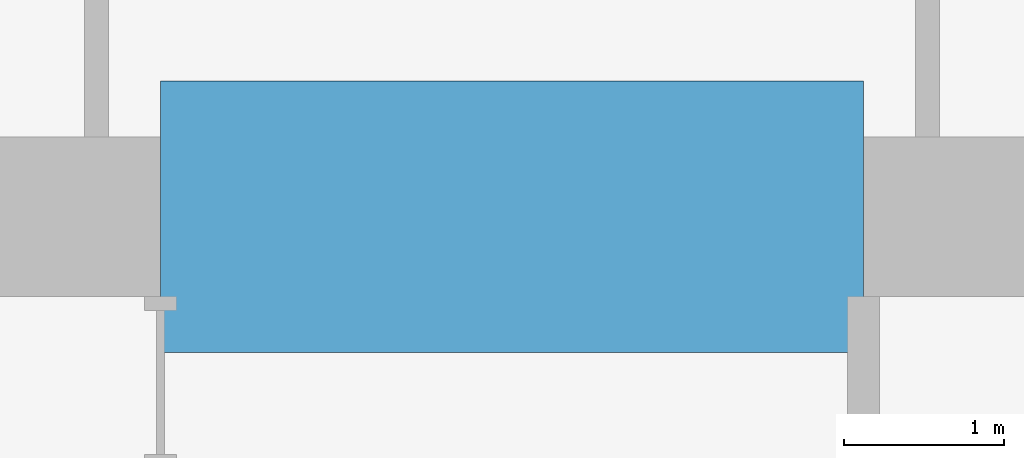
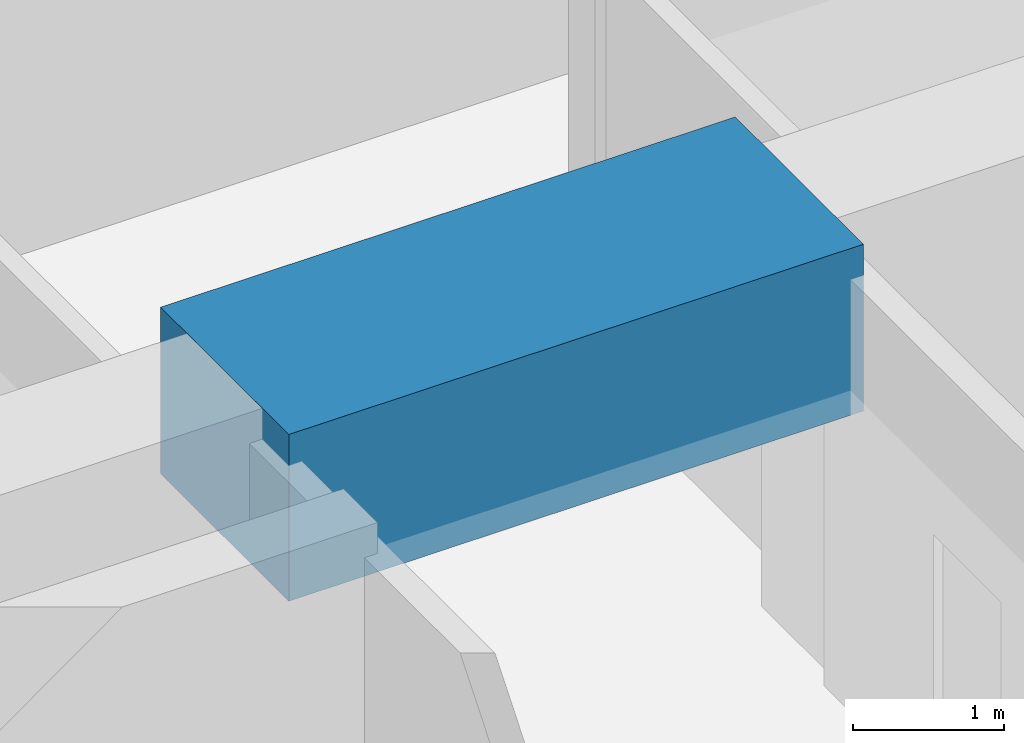
# One storey, part 18 of 40: 1 beam.
"""IFC4 building model written with IfcOpenShell, lengths in metres."""

import ifcopenshell
import ifcopenshell.guid

model = None  # the IFC model being written
_history = None  # IfcOwnerHistory: only IFC2X3 demands one
_inside = {}  # id of a spatial element -> (the spatial element, [elements in it])
_under = {}  # id of a project, library or spatial element -> (it, [spatial elements below it])
_declared = {}  # id of a project -> (the project, [libraries it declares])
_typed = {}  # id of a type object -> (the type object, [elements of that type])
_made_of = {}  # id of a material, layer set ... -> (it, [elements and type objects made of it])


def new_model(schema):
    """Start an empty IFC model of exactly this schema.

    Asked for "IFC4X3", IfcOpenShell would pick the latest addendum, in which some entities
    have other attributes; the version numbers below select the first issue.
    IFC2X3 requires an IfcOwnerHistory on every rooted entity: one is made here for all.
    """
    global model, _history
    if schema == "IFC4X3":
        model = ifcopenshell.file(schema_version=(4, 3, 0, 0))
    else:
        model = ifcopenshell.file(schema=schema)
    _inside.clear()
    _under.clear()
    _declared.clear()
    _typed.clear()
    _made_of.clear()
    _history = None
    if model.schema == "IFC2X3":
        org = make("IfcOrganization", Name="unknown")
        user = make(
            "IfcPersonAndOrganization",
            ThePerson=make("IfcPerson", FamilyName="unknown"),
            TheOrganization=org,
        )
        app = make(
            "IfcApplication",
            ApplicationDeveloper=org,
            Version="unknown",
            ApplicationFullName="unknown",
            ApplicationIdentifier="unknown",
        )
        _history = make(
            "IfcOwnerHistory",
            OwningUser=user,
            OwningApplication=app,
            ChangeAction="ADDED",
            CreationDate=0,
        )
    return model


def make(cls, **values):
    """One entity of the class cls with the attributes given. An attribute that is None is left unset."""
    return model.create_entity(
        cls, **{name: value for name, value in values.items() if value is not None}
    )


def rooted(cls, **values):
    """An entity with a GlobalId (a new one), such as an element, a storey or a relation."""
    return make(cls, GlobalId=ifcopenshell.guid.new(), OwnerHistory=_history, **values)


def si_unit(unit_type, name, prefix=None):
    """IfcSIUnit, for example si_unit("LENGTHUNIT", "METRE", prefix="MILLI")."""
    return make("IfcSIUnit", UnitType=unit_type, Prefix=prefix, Name=name)


def assignment(units):
    """IfcUnitAssignment: the units of a project."""
    return None if units is None else make("IfcUnitAssignment", Units=units)


def point(xyz):
    """IfcCartesianPoint."""
    return None if xyz is None else make("IfcCartesianPoint", Coordinates=xyz)


def direction(xyz):
    """IfcDirection."""
    return None if xyz is None else make("IfcDirection", DirectionRatios=xyz)


def frame(location, z_axis=None, x_axis=None):
    """IfcAxis2Placement3D, a coordinate frame: its origin and axes. An axis left out is left unset."""
    return make(
        "IfcAxis2Placement3D",
        Location=point(location),
        Axis=direction(z_axis),
        RefDirection=direction(x_axis),
    )


def frame_2d(location, x_axis=None):
    """IfcAxis2Placement2D, a coordinate frame in the plane: its origin and x axis."""
    return make(
        "IfcAxis2Placement2D", Location=point(location), RefDirection=direction(x_axis)
    )


def origin():
    """The frame at (0, 0, 0) with its axes left unset."""
    return frame((0.0, 0.0, 0.0))


def origin_2d():
    """The frame at (0, 0) in the plane with its x axis left unset."""
    return frame_2d((0.0, 0.0))


def place(relative_to, where):
    """IfcLocalPlacement: puts the frame where relative to a parent placement (None: the world)."""
    return make(
        "IfcLocalPlacement", PlacementRelTo=relative_to, RelativePlacement=where
    )


def context(
    kind, dimensions, precision=None, world=None, true_north=None, identifier=None
):
    """IfcGeometricRepresentationContext, for example the 3D "Model" context."""
    return make(
        "IfcGeometricRepresentationContext",
        ContextIdentifier=identifier,
        ContextType=kind,
        CoordinateSpaceDimension=dimensions,
        Precision=precision,
        WorldCoordinateSystem=world,
        TrueNorth=true_north,
    )


def subcontext(parent, identifier, kind, view, scale=None):
    """IfcGeometricRepresentationSubContext, for example "Body" below "Model"."""
    return make(
        "IfcGeometricRepresentationSubContext",
        ContextIdentifier=identifier,
        ContextType=kind,
        ParentContext=parent,
        TargetScale=scale,
        TargetView=view,
    )


def project(units=None, contexts=None):
    """IfcProject with its units and contexts."""
    return rooted(
        "IfcProject",
        Name="project",
        RepresentationContexts=contexts,
        UnitsInContext=assignment(units),
    )


def spatial(cls, under=None, at=None, **own):
    """A site, building, storey or space (cls), placed at a placement, below another one or the project."""
    s = rooted(cls, ObjectPlacement=at, **own)
    if under is not None:
        _under.setdefault(under.id(), (under, []))[1].append(s)
    return s


def profile(cls, at=None, kind="AREA", **sizes):
    """A parametric profile (cls). Its sizes go by their IFC names, for example OverallWidth=200.0."""
    return make(cls, ProfileType=kind, Position=at, **sizes)


def rectangle(**sizes):
    """IfcRectangleProfileDef."""
    return profile("IfcRectangleProfileDef", **sizes)


def extrude(swept, where, along, depth):
    """IfcExtrudedAreaSolid: the profile swept, set in the frame where, extruded along a direction by depth."""
    return make(
        "IfcExtrudedAreaSolid",
        SweptArea=swept,
        Position=where,
        ExtrudedDirection=direction(along),
        Depth=depth,
    )


def shape(context_of_items, identifier, shape_type, items):
    """IfcShapeRepresentation: the items that make up one representation, for example the "Body"."""
    return make(
        "IfcShapeRepresentation",
        ContextOfItems=context_of_items,
        RepresentationIdentifier=identifier,
        RepresentationType=shape_type,
        Items=items,
    )


def material(Name=None, Category=None):
    """IfcMaterial."""
    return make("IfcMaterial", Name=Name, Category=Category)


def material_profile(
    of_material, cross_section, Name=None, Category=None, Priority=None
):
    """IfcMaterialProfile: a cross section and its material."""
    return make(
        "IfcMaterialProfile",
        Name=Name,
        Material=of_material,
        Profile=cross_section,
        Priority=Priority,
        Category=Category,
    )


def profile_set(profiles, Name=None, composite=None):
    """IfcMaterialProfileSet."""
    return make(
        "IfcMaterialProfileSet",
        Name=Name,
        MaterialProfiles=profiles,
        CompositeProfile=composite,
    )


def made_of(thing, what):
    """Note that an element or type object is made of a material, layer set ...; save() writes the relation."""
    if what is not None:
        _made_of.setdefault(what.id(), (what, []))[1].append(thing)
    return thing


def type_object(cls, material=None, **own):
    """A type object (cls), such as IfcWallType, which elements share."""
    return made_of(rooted(cls, **own), material)


def element(
    cls,
    number,
    at=None,
    inside=None,
    cuts=None,
    type_object=None,
    material=None,
    context=None,
    identifier="Body",
    shape_type=None,
    held_by="IfcProductDefinitionShape",
    body=None,
    shapes=None,
    **own,
):
    """One element of the class cls, such as IfcWall. Its Tag is "e" and its number.

    at: its placement. inside: the storey or other place that contains it. cuts: it is an
    opening in that element (IfcRelVoidsElement). A single representation is given by context,
    identifier, shape_type and body (its items); several are given by shapes. held_by: the class
    of the entity that holds the representations. save() writes the other relations.
    """
    e = rooted(cls, Tag="e%d" % number, ObjectPlacement=at, **own)
    if body is not None:
        shapes = [shape(context, identifier, shape_type, body)]
    if shapes is not None:
        e.Representation = make(held_by, Representations=shapes)
    if inside is not None:
        _inside.setdefault(inside.id(), (inside, []))[1].append(e)
    if cuts is not None:
        rooted(
            "IfcRelVoidsElement", RelatingBuildingElement=cuts, RelatedOpeningElement=e
        )
    if type_object is not None:
        _typed.setdefault(type_object.id(), (type_object, []))[1].append(e)
    return made_of(e, material)


def aggregate(whole, parts):
    """IfcRelAggregates: a whole, such as a stair, and the parts it consists of."""
    return rooted("IfcRelAggregates", RelatingObject=whole, RelatedObjects=parts)


def save(model, path):
    """Write the relations noted so far, then the file.

    IfcRelAggregates (storeys below a building ...), IfcRelContainedInSpatialStructure (elements
    in a storey), IfcRelDefinesByType, IfcRelAssociatesMaterial and IfcRelDeclares: one each for
    every whole, place, type object, material and project.
    """
    for whole, parts in _under.values():
        aggregate(whole, parts)
    for where, things in _inside.values():
        rooted(
            "IfcRelContainedInSpatialStructure",
            RelatedElements=things,
            RelatingStructure=where,
        )
    for kind, things in _typed.values():
        rooted("IfcRelDefinesByType", RelatedObjects=things, RelatingType=kind)
    for what, things in _made_of.values():
        rooted("IfcRelAssociatesMaterial", RelatedObjects=things, RelatingMaterial=what)
    for by, libraries in _declared.values():
        rooted("IfcRelDeclares", RelatingContext=by, RelatedDefinitions=libraries)
    model.write(path)


model = new_model("IFC4")

# Units and contexts
model_context = context("Model", 3, precision=1e-05, world=origin(), true_north=direction((0.0, 1.0)))
body_context = subcontext(model_context, "Body", "Model", "MODEL_VIEW")
ifc_project = project(units=[si_unit("LENGTHUNIT", "METRE"), si_unit("AREAUNIT", "SQUARE_METRE"), si_unit("VOLUMEUNIT", "CUBIC_METRE"), si_unit("PLANEANGLEUNIT", "RADIAN"), si_unit("MASSUNIT", "GRAM", prefix="KILO")], contexts=[model_context])

# Site, building, storey
site_placement = place(None, origin())
site = spatial("IfcSite", under=ifc_project, at=site_placement, CompositionType="ELEMENT")
building_placement = place(site_placement, origin())
building = spatial("IfcBuilding", under=site, at=building_placement, Name="Rekha Terrace Tower", CompositionType="ELEMENT")
storey_placement = place(building_placement, frame((0.0, 0.0, 102.800048828125)))
storey = spatial("IfcBuildingStorey", under=building, at=storey_placement, Name="L25", CompositionType="ELEMENT", Elevation=102.800048828125)

# Beam
ifc_material = material(Name="Concrete M70", Category="concrete")
ifc_material_profile = material_profile(ifc_material, rectangle(XDim=1.699951171875, YDim=1.35009765625, at=origin_2d()), Name="RC 1700x1350")
ifc_profile_set = profile_set([ifc_material_profile], Name="Concrete M70")
beam_type = type_object("IfcBeamType", Name="LB2A 1700x1350 diagonally reinforced coupling beam", PredefinedType="LINTEL", material=ifc_profile_set)
beam_placement = place(storey_placement, frame((35.60009765625, 46.199951171875, 3.074951171875), z_axis=(1.0, 0.0, 0.0), x_axis=(0.0, 1.0, 0.0)))
element("IfcBeam", 1, at=beam_placement, inside=storey, type_object=beam_type, Name="Coupling beam LB2A N L25", PredefinedType="LINTEL", context=body_context, shape_type="SweptSolid", body=[
    extrude(rectangle(XDim=1.699951171875, YDim=1.35009765625, at=origin_2d()), origin(), (0.0, 0.0, 1.0), 4.39990234375),
])

save(model, "model.ifc")
